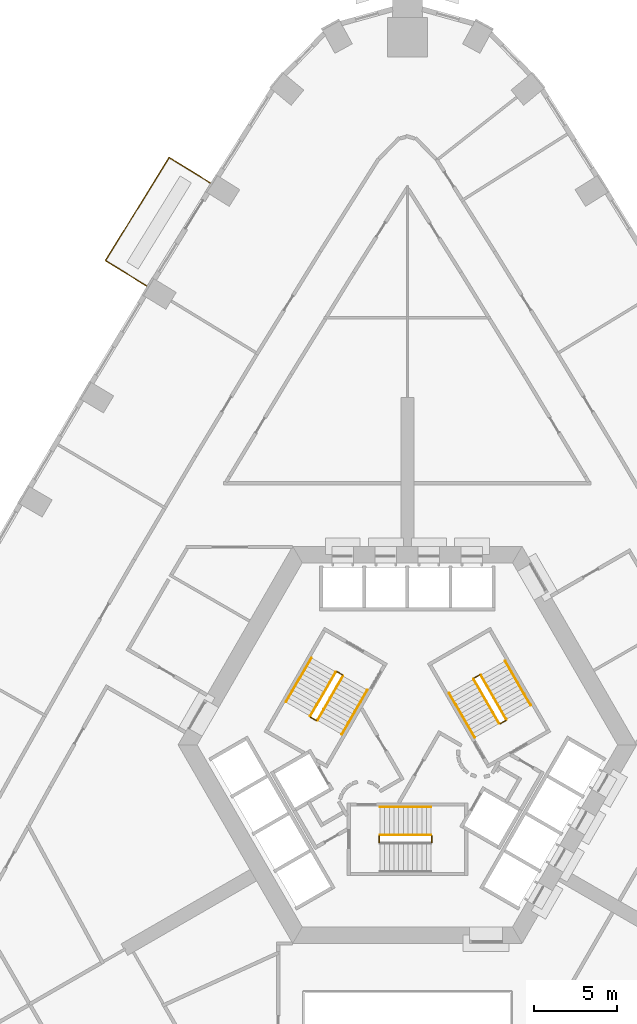
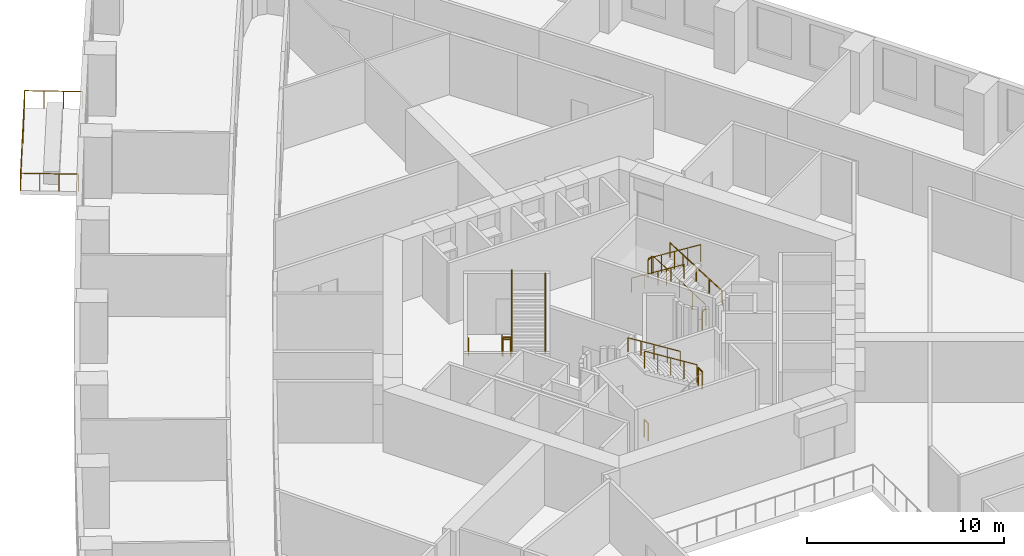
# One storey, part 14 of 15: 17 railings.
"""IFC4 building model written with IfcOpenShell, lengths in metres."""

import ifcopenshell
import ifcopenshell.guid

model = None  # the IFC model being written
_history = None  # IfcOwnerHistory: only IFC2X3 demands one
_inside = {}  # id of a spatial element -> (the spatial element, [elements in it])
_under = {}  # id of a project, library or spatial element -> (it, [spatial elements below it])
_declared = {}  # id of a project -> (the project, [libraries it declares])
_typed = {}  # id of a type object -> (the type object, [elements of that type])
_made_of = {}  # id of a material, layer set ... -> (it, [elements and type objects made of it])


def new_model(schema):
    """Start an empty IFC model of exactly this schema.

    Asked for "IFC4X3", IfcOpenShell would pick the latest addendum, in which some entities
    have other attributes; the version numbers below select the first issue.
    IFC2X3 requires an IfcOwnerHistory on every rooted entity: one is made here for all.
    """
    global model, _history
    if schema == "IFC4X3":
        model = ifcopenshell.file(schema_version=(4, 3, 0, 0))
    else:
        model = ifcopenshell.file(schema=schema)
    _inside.clear()
    _under.clear()
    _declared.clear()
    _typed.clear()
    _made_of.clear()
    _history = None
    if model.schema == "IFC2X3":
        org = make("IfcOrganization", Name="unknown")
        user = make(
            "IfcPersonAndOrganization",
            ThePerson=make("IfcPerson", FamilyName="unknown"),
            TheOrganization=org,
        )
        app = make(
            "IfcApplication",
            ApplicationDeveloper=org,
            Version="unknown",
            ApplicationFullName="unknown",
            ApplicationIdentifier="unknown",
        )
        _history = make(
            "IfcOwnerHistory",
            OwningUser=user,
            OwningApplication=app,
            ChangeAction="ADDED",
            CreationDate=0,
        )
    return model


def make(cls, **values):
    """One entity of the class cls with the attributes given. An attribute that is None is left unset."""
    return model.create_entity(
        cls, **{name: value for name, value in values.items() if value is not None}
    )


def rooted(cls, **values):
    """An entity with a GlobalId (a new one), such as an element, a storey or a relation."""
    return make(cls, GlobalId=ifcopenshell.guid.new(), OwnerHistory=_history, **values)


def si_unit(unit_type, name, prefix=None):
    """IfcSIUnit, for example si_unit("LENGTHUNIT", "METRE", prefix="MILLI")."""
    return make("IfcSIUnit", UnitType=unit_type, Prefix=prefix, Name=name)


def assignment(units):
    """IfcUnitAssignment: the units of a project."""
    return None if units is None else make("IfcUnitAssignment", Units=units)


def point(xyz):
    """IfcCartesianPoint."""
    return None if xyz is None else make("IfcCartesianPoint", Coordinates=xyz)


def direction(xyz):
    """IfcDirection."""
    return None if xyz is None else make("IfcDirection", DirectionRatios=xyz)


def frame(location, z_axis=None, x_axis=None):
    """IfcAxis2Placement3D, a coordinate frame: its origin and axes. An axis left out is left unset."""
    return make(
        "IfcAxis2Placement3D",
        Location=point(location),
        Axis=direction(z_axis),
        RefDirection=direction(x_axis),
    )


def frame_2d(location, x_axis=None):
    """IfcAxis2Placement2D, a coordinate frame in the plane: its origin and x axis."""
    return make(
        "IfcAxis2Placement2D", Location=point(location), RefDirection=direction(x_axis)
    )


def origin():
    """The frame at (0, 0, 0) with its axes left unset."""
    return frame((0.0, 0.0, 0.0))


def origin_2d():
    """The frame at (0, 0) in the plane with its x axis left unset."""
    return frame_2d((0.0, 0.0))


def place(relative_to, where):
    """IfcLocalPlacement: puts the frame where relative to a parent placement (None: the world)."""
    return make(
        "IfcLocalPlacement", PlacementRelTo=relative_to, RelativePlacement=where
    )


def context(
    kind, dimensions, precision=None, world=None, true_north=None, identifier=None
):
    """IfcGeometricRepresentationContext, for example the 3D "Model" context."""
    return make(
        "IfcGeometricRepresentationContext",
        ContextIdentifier=identifier,
        ContextType=kind,
        CoordinateSpaceDimension=dimensions,
        Precision=precision,
        WorldCoordinateSystem=world,
        TrueNorth=true_north,
    )


def subcontext(parent, identifier, kind, view, scale=None):
    """IfcGeometricRepresentationSubContext, for example "Body" below "Model"."""
    return make(
        "IfcGeometricRepresentationSubContext",
        ContextIdentifier=identifier,
        ContextType=kind,
        ParentContext=parent,
        TargetScale=scale,
        TargetView=view,
    )


def project(units=None, contexts=None):
    """IfcProject with its units and contexts."""
    return rooted(
        "IfcProject",
        Name="project",
        RepresentationContexts=contexts,
        UnitsInContext=assignment(units),
    )


def spatial(cls, under=None, at=None, **own):
    """A site, building, storey or space (cls), placed at a placement, below another one or the project."""
    s = rooted(cls, ObjectPlacement=at, **own)
    if under is not None:
        _under.setdefault(under.id(), (under, []))[1].append(s)
    return s


def profile(cls, at=None, kind="AREA", **sizes):
    """A parametric profile (cls). Its sizes go by their IFC names, for example OverallWidth=200.0."""
    return make(cls, ProfileType=kind, Position=at, **sizes)


def circle(**sizes):
    """IfcCircleProfileDef."""
    return profile("IfcCircleProfileDef", **sizes)


def extrude(swept, where, along, depth):
    """IfcExtrudedAreaSolid: the profile swept, set in the frame where, extruded along a direction by depth."""
    return make(
        "IfcExtrudedAreaSolid",
        SweptArea=swept,
        Position=where,
        ExtrudedDirection=direction(along),
        Depth=depth,
    )


def shape(context_of_items, identifier, shape_type, items):
    """IfcShapeRepresentation: the items that make up one representation, for example the "Body"."""
    return make(
        "IfcShapeRepresentation",
        ContextOfItems=context_of_items,
        RepresentationIdentifier=identifier,
        RepresentationType=shape_type,
        Items=items,
    )


def material(Name=None, Category=None):
    """IfcMaterial."""
    return make("IfcMaterial", Name=Name, Category=Category)


def made_of(thing, what):
    """Note that an element or type object is made of a material, layer set ...; save() writes the relation."""
    if what is not None:
        _made_of.setdefault(what.id(), (what, []))[1].append(thing)
    return thing


def type_object(cls, material=None, **own):
    """A type object (cls), such as IfcWallType, which elements share."""
    return made_of(rooted(cls, **own), material)


def element(
    cls,
    number,
    at=None,
    inside=None,
    cuts=None,
    type_object=None,
    material=None,
    context=None,
    identifier="Body",
    shape_type=None,
    held_by="IfcProductDefinitionShape",
    body=None,
    shapes=None,
    **own,
):
    """One element of the class cls, such as IfcWall. Its Tag is "e" and its number.

    at: its placement. inside: the storey or other place that contains it. cuts: it is an
    opening in that element (IfcRelVoidsElement). A single representation is given by context,
    identifier, shape_type and body (its items); several are given by shapes. held_by: the class
    of the entity that holds the representations. save() writes the other relations.
    """
    e = rooted(cls, Tag="e%d" % number, ObjectPlacement=at, **own)
    if body is not None:
        shapes = [shape(context, identifier, shape_type, body)]
    if shapes is not None:
        e.Representation = make(held_by, Representations=shapes)
    if inside is not None:
        _inside.setdefault(inside.id(), (inside, []))[1].append(e)
    if cuts is not None:
        rooted(
            "IfcRelVoidsElement", RelatingBuildingElement=cuts, RelatedOpeningElement=e
        )
    if type_object is not None:
        _typed.setdefault(type_object.id(), (type_object, []))[1].append(e)
    return made_of(e, material)


def aggregate(whole, parts):
    """IfcRelAggregates: a whole, such as a stair, and the parts it consists of."""
    return rooted("IfcRelAggregates", RelatingObject=whole, RelatedObjects=parts)


def save(model, path):
    """Write the relations noted so far, then the file.

    IfcRelAggregates (storeys below a building ...), IfcRelContainedInSpatialStructure (elements
    in a storey), IfcRelDefinesByType, IfcRelAssociatesMaterial and IfcRelDeclares: one each for
    every whole, place, type object, material and project.
    """
    for whole, parts in _under.values():
        aggregate(whole, parts)
    for where, things in _inside.values():
        rooted(
            "IfcRelContainedInSpatialStructure",
            RelatedElements=things,
            RelatingStructure=where,
        )
    for kind, things in _typed.values():
        rooted("IfcRelDefinesByType", RelatedObjects=things, RelatingType=kind)
    for what, things in _made_of.values():
        rooted("IfcRelAssociatesMaterial", RelatedObjects=things, RelatingMaterial=what)
    for by, libraries in _declared.values():
        rooted("IfcRelDeclares", RelatingContext=by, RelatedDefinitions=libraries)
    model.write(path)


model = new_model("IFC4")

# Units and contexts
model_context = context("Model", 3, precision=1e-05, world=origin(), true_north=direction((0.0, 1.0)))
body_context = subcontext(model_context, "Body", "Model", "MODEL_VIEW")
ifc_project = project(units=[si_unit("LENGTHUNIT", "METRE"), si_unit("AREAUNIT", "SQUARE_METRE"), si_unit("VOLUMEUNIT", "CUBIC_METRE"), si_unit("PLANEANGLEUNIT", "RADIAN"), si_unit("MASSUNIT", "GRAM", prefix="KILO")], contexts=[model_context])

# Site, building, storey
site_placement = place(None, origin())
site = spatial("IfcSite", under=ifc_project, at=site_placement, CompositionType="ELEMENT")
building_placement = place(site_placement, origin())
building = spatial("IfcBuilding", under=site, at=building_placement, Name="Entoto Arch Interchange Tower", CompositionType="ELEMENT")
storey_placement = place(building_placement, frame((0.0, 0.0, 56.0)))
storey = spatial("IfcBuildingStorey", under=building, at=storey_placement, Name="L11", CompositionType="ELEMENT", Elevation=56.0)

# Railings
ifc_material = material(Name="Stainless steel 1.4301", Category="steel")
railing_type_1 = type_object("IfcRailingType", Name="GUARD 1100 STEEL AND GLASS", PredefinedType="GUARDRAIL", material=ifc_material)
railing_1_placement = place(storey_placement, frame((-11.885986328125, 36.44189453125, 0.0)))
element("IfcRailing", 1, at=railing_1_placement, inside=storey, type_object=railing_type_1, Name="Balcony guard NW-02 L11", PredefinedType="GUARDRAIL", context=body_context, shape_type="SweptSolid", body=[
    extrude(circle(Radius=0.02392578125, at=origin_2d()), frame((0.0, 0.0, 1.076171875), z_axis=(-0.851075350187, 0.525043568006, 0.0), x_axis=(-0.525043568006, -0.851075350187, 0.0)), (0.0, 0.0, 1.0), 2.950439453125),
    extrude(circle(Radius=0.02392578125, at=origin_2d()), frame((-2.510986328125, 1.549072265625, 1.076171875), z_axis=(-0.525007100846, -0.85109784635, 0.0), x_axis=(0.85109784635, -0.525007100846, 0.0)), (0.0, 0.0, 1.0), 7.31982421875),
    extrude(circle(Radius=0.02392578125, at=origin_2d()), frame((-6.35400390625, -4.680908203125, 1.076171875), z_axis=(0.851075350187, -0.525043568006, 0.0), x_axis=(0.525043568006, 0.851075350187, 0.0)), (0.0, 0.0, 1.0), 2.950439453125),
    extrude(circle(Radius=0.02099609375, at=origin_2d()), origin(), (0.0, 0.0, 1.0), 1.052001953125),
    extrude(circle(Radius=0.02099609375, at=origin_2d()), frame((-0.8369140625, 0.516357421875, 0.0)), (0.0, 0.0, 1.0), 1.052001953125),
    extrude(circle(Radius=0.02099609375, at=origin_2d()), frame((-1.674072265625, 1.03271484375, 0.0)), (0.0, 0.0, 1.0), 1.052001953125),
    extrude(circle(Radius=0.02099609375, at=origin_2d()), frame((-2.510986328125, 1.549072265625, 0.0)), (0.0, 0.0, 1.0), 1.052001953125),
    extrude(circle(Radius=0.02099609375, at=origin_2d()), frame((-3.06005859375, 0.6591796875, 0.0)), (0.0, 0.0, 1.0), 1.052001953125),
    extrude(circle(Radius=0.02099609375, at=origin_2d()), frame((-3.60888671875, -0.23095703125, 0.0)), (0.0, 0.0, 1.0), 1.052001953125),
    extrude(circle(Radius=0.02099609375, at=origin_2d()), frame((-4.157958984375, -1.120849609375, 0.0)), (0.0, 0.0, 1.0), 1.052001953125),
    extrude(circle(Radius=0.02099609375, at=origin_2d()), frame((-4.70703125, -2.010986328125, 0.0)), (0.0, 0.0, 1.0), 1.052001953125),
    extrude(circle(Radius=0.02099609375, at=origin_2d()), frame((-5.256103515625, -2.90087890625, 0.0)), (0.0, 0.0, 1.0), 1.052001953125),
    extrude(circle(Radius=0.02099609375, at=origin_2d()), frame((-5.804931640625, -3.791015625, 0.0)), (0.0, 0.0, 1.0), 1.052001953125),
    extrude(circle(Radius=0.02099609375, at=origin_2d()), frame((-6.35400390625, -4.680908203125, 0.0)), (0.0, 0.0, 1.0), 1.052001953125),
    extrude(circle(Radius=0.02099609375, at=origin_2d()), frame((-5.51708984375, -5.197265625, 0.0)), (0.0, 0.0, 1.0), 1.052001953125),
    extrude(circle(Radius=0.02099609375, at=origin_2d()), frame((-4.679931640625, -5.713623046875, 0.0)), (0.0, 0.0, 1.0), 1.052001953125),
    extrude(circle(Radius=0.02099609375, at=origin_2d()), frame((-3.843017578125, -6.22998046875, 0.0)), (0.0, 0.0, 1.0), 1.052001953125),
])
railing_type_2 = type_object("IfcRailingType", Name="STAIR GUARD 1100 STEEL", PredefinedType="GUARDRAIL", material=ifc_material)
railing_2_placement = place(storey_placement, frame((1.47998046875, -3.39990234375, 2.10009765625)))
element("IfcRailing", 2, at=railing_2_placement, inside=storey, type_object=railing_type_2, Name="L11 ST-S stair guard 2", PredefinedType="GUARDRAIL", context=body_context, shape_type="SweptSolid", body=[
    extrude(circle(Radius=0.02392578125, at=origin_2d()), frame((0.0, 0.0, 1.076171875), z_axis=(0.0, 1.0, 0.0), x_axis=(-1.0, 0.0, 0.0)), (0.0, 0.0, 1.0), 0.39990234375),
    extrude(circle(Radius=0.02099609375, at=origin_2d()), origin(), (0.0, 0.0, 1.0), 1.052001953125),
    extrude(circle(Radius=0.02099609375, at=origin_2d()), frame((0.0, 0.39990234375, 0.0)), (0.0, 0.0, 1.0), 1.052001953125),
])
railing_3_placement = place(storey_placement, frame((1.429931640625, -2.949951171875, 2.27490234375)))
element("IfcRailing", 3, at=railing_3_placement, inside=storey, type_object=railing_type_2, Name="L11 ST-S stair guard 3", PredefinedType="GUARDRAIL", context=body_context, shape_type="SweptSolid", body=[
    extrude(circle(Radius=0.02392578125, at=origin_2d()), frame((0.0, 0.0, 1.076171875), z_axis=(-0.847979421464, 0.0, 0.530029150871), x_axis=(0.0, -1.0, 0.0)), (0.0, 0.0, 1.0), 3.632080078125),
    extrude(circle(Radius=0.02099609375, at=origin_2d()), origin(), (0.0, 0.0, 1.0), 1.052001953125),
    extrude(circle(Radius=0.02099609375, at=origin_2d()), frame((-0.77001953125, 0.0, 0.481201171875)), (0.0, 0.0, 1.0), 1.052001953125),
    extrude(circle(Radius=0.02099609375, at=origin_2d()), frame((-1.5400390625, 0.0, 0.96240234375)), (0.0, 0.0, 1.0), 1.052001953125),
    extrude(circle(Radius=0.02099609375, at=origin_2d()), frame((-2.309814453125, 0.0, 1.44384765625)), (0.0, 0.0, 1.0), 1.052001953125),
    extrude(circle(Radius=0.02099609375, at=origin_2d()), frame((-3.079833984375, 0.0, 1.925048828125)), (0.0, 0.0, 1.0), 1.052001953125),
])
railing_4_placement = place(storey_placement, frame((-1.699951171875, -3.39990234375, 0.0)))
element("IfcRailing", 4, at=railing_4_placement, inside=storey, type_object=railing_type_2, Name="L11 ST-S stair guard 4", PredefinedType="GUARDRAIL", context=body_context, shape_type="SweptSolid", body=[
    extrude(circle(Radius=0.02392578125, at=origin_2d()), frame((0.0, 0.0, 1.076171875), z_axis=(0.0, 1.0, 0.0), x_axis=(-1.0, 0.0, 0.0)), (0.0, 0.0, 1.0), 0.39990234375),
    extrude(circle(Radius=0.02099609375, at=origin_2d()), origin(), (0.0, 0.0, 1.0), 1.052001953125),
    extrude(circle(Radius=0.02099609375, at=origin_2d()), frame((0.0, 0.39990234375, 0.0)), (0.0, 0.0, 1.0), 1.052001953125),
])
railing_5_placement = place(storey_placement, frame((5.977783203125, 4.046142578125, 0.175048828125)))
element("IfcRailing", 5, at=railing_5_placement, inside=storey, type_object=railing_type_2, Name="L11 ST-NE stair guard 1", PredefinedType="GUARDRAIL", context=body_context, shape_type="SweptSolid", body=[
    extrude(circle(Radius=0.02392578125, at=origin_2d()), frame((0.0, 0.0, 1.076171875), z_axis=(-0.424015404183, 0.734364028329, 0.530019255228), x_axis=(-0.866010015463, -0.500026652407, 0.0)), (0.0, 0.0, 1.0), 3.632080078125),
    extrude(circle(Radius=0.02099609375, at=origin_2d()), origin(), (0.0, 0.0, 1.0), 1.052001953125),
    extrude(circle(Radius=0.02099609375, at=origin_2d()), frame((-0.385009765625, 0.666748046875, 0.481201171875)), (0.0, 0.0, 1.0), 1.052001953125),
    extrude(circle(Radius=0.02099609375, at=origin_2d()), frame((-0.77001953125, 1.33349609375, 0.96240234375)), (0.0, 0.0, 1.0), 1.052001953125),
    extrude(circle(Radius=0.02099609375, at=origin_2d()), frame((-1.155029296875, 2.00048828125, 1.44384765625)), (0.0, 0.0, 1.0), 1.052001953125),
    extrude(circle(Radius=0.02099609375, at=origin_2d()), frame((-1.5400390625, 2.667236328125, 1.925048828125)), (0.0, 0.0, 1.0), 1.052001953125),
])
railing_6_placement = place(storey_placement, frame((4.36962890625, 6.731689453125, 2.10009765625)))
element("IfcRailing", 6, at=railing_6_placement, inside=storey, type_object=railing_type_2, Name="L11 ST-NE stair guard 2", PredefinedType="GUARDRAIL", context=body_context, shape_type="SweptSolid", body=[
    extrude(circle(Radius=0.02392578125, at=origin_2d()), frame((0.0, 0.0, 1.076171875), z_axis=(-0.866094119867, -0.499880961361, 0.0), x_axis=(0.499880961361, -0.866094119867, 0.0)), (0.0, 0.0, 1.0), 0.39990234375),
    extrude(circle(Radius=0.02099609375, at=origin_2d()), origin(), (0.0, 0.0, 1.0), 1.052001953125),
    extrude(circle(Radius=0.02099609375, at=origin_2d()), frame((-0.346435546875, -0.199951171875, 0.0)), (0.0, 0.0, 1.0), 1.052001953125),
])
railing_7_placement = place(storey_placement, frame((4.0048828125, 6.46337890625, 2.27490234375)))
element("IfcRailing", 7, at=railing_7_placement, inside=storey, type_object=railing_type_2, Name="L11 ST-NE stair guard 3", PredefinedType="GUARDRAIL", context=body_context, shape_type="SweptSolid", body=[
    extrude(circle(Radius=0.02392578125, at=origin_2d()), frame((0.0, 0.0, 1.076171875), z_axis=(0.424015404183, -0.734364028329, 0.530019255228), x_axis=(0.866010015463, 0.500026652407, 0.0)), (0.0, 0.0, 1.0), 3.632080078125),
    extrude(circle(Radius=0.02099609375, at=origin_2d()), origin(), (0.0, 0.0, 1.0), 1.052001953125),
    extrude(circle(Radius=0.02099609375, at=origin_2d()), frame((0.385009765625, -0.666748046875, 0.481201171875)), (0.0, 0.0, 1.0), 1.052001953125),
    extrude(circle(Radius=0.02099609375, at=origin_2d()), frame((0.77001953125, -1.33349609375, 0.96240234375)), (0.0, 0.0, 1.0), 1.052001953125),
    extrude(circle(Radius=0.02099609375, at=origin_2d()), frame((1.155029296875, -2.00048828125, 1.44384765625)), (0.0, 0.0, 1.0), 1.052001953125),
    extrude(circle(Radius=0.02099609375, at=origin_2d()), frame((1.5400390625, -2.667236328125, 1.925048828125)), (0.0, 0.0, 1.0), 1.052001953125),
])
railing_8_placement = place(storey_placement, frame((5.95947265625, 3.977783203125, 0.0)))
element("IfcRailing", 8, at=railing_8_placement, inside=storey, type_object=railing_type_2, Name="L11 ST-NE stair guard 4", PredefinedType="GUARDRAIL", context=body_context, shape_type="SweptSolid", body=[
    extrude(circle(Radius=0.02392578125, at=origin_2d()), frame((0.0, 0.0, 1.076171875), z_axis=(-0.866094119867, -0.499880961361, 0.0), x_axis=(0.499880961361, -0.866094119867, 0.0)), (0.0, 0.0, 1.0), 0.39990234375),
    extrude(circle(Radius=0.02099609375, at=origin_2d()), origin(), (0.0, 0.0, 1.0), 1.052001953125),
    extrude(circle(Radius=0.02099609375, at=origin_2d()), frame((-0.346435546875, -0.199951171875, 0.0)), (0.0, 0.0, 1.0), 1.052001953125),
])
railing_9_placement = place(storey_placement, frame((-4.327880859375, 6.904052734375, 0.175048828125)))
element("IfcRailing", 9, at=railing_9_placement, inside=storey, type_object=railing_type_2, Name="L11 ST-NW stair guard 1", PredefinedType="GUARDRAIL", context=body_context, shape_type="SweptSolid", body=[
    extrude(circle(Radius=0.02392578125, at=origin_2d()), frame((0.0, 0.0, 1.076171875), z_axis=(-0.423994474112, -0.734394994316, 0.52999309264), x_axis=(0.866029832698, -0.499992328818, 0.0)), (0.0, 0.0, 1.0), 3.63232421875),
    extrude(circle(Radius=0.02099609375, at=origin_2d()), origin(), (0.0, 0.0, 1.0), 1.052001953125),
    extrude(circle(Radius=0.02099609375, at=origin_2d()), frame((-0.385009765625, -0.6669921875, 0.481201171875)), (0.0, 0.0, 1.0), 1.052001953125),
    extrude(circle(Radius=0.02099609375, at=origin_2d()), frame((-0.77001953125, -1.333740234375, 0.96240234375)), (0.0, 0.0, 1.0), 1.052001953125),
    extrude(circle(Radius=0.02099609375, at=origin_2d()), frame((-1.155029296875, -2.00048828125, 1.44384765625)), (0.0, 0.0, 1.0), 1.052001953125),
    extrude(circle(Radius=0.02099609375, at=origin_2d()), frame((-1.5400390625, -2.66748046875, 1.925048828125)), (0.0, 0.0, 1.0), 1.052001953125),
])
railing_10_placement = place(storey_placement, frame((-5.849609375, 4.168212890625, 2.10009765625)))
element("IfcRailing", 10, at=railing_10_placement, inside=storey, type_object=railing_type_2, Name="L11 ST-NW stair guard 2", PredefinedType="GUARDRAIL", context=body_context, shape_type="SweptSolid", body=[
    extrude(circle(Radius=0.02392578125, at=origin_2d()), frame((0.0, 0.0, 1.076171875), z_axis=(0.866094119867, -0.499880961361, 0.0), x_axis=(0.499880961361, 0.866094119867, 0.0)), (0.0, 0.0, 1.0), 0.39990234375),
    extrude(circle(Radius=0.02099609375, at=origin_2d()), origin(), (0.0, 0.0, 1.0), 1.052001953125),
    extrude(circle(Radius=0.02099609375, at=origin_2d()), frame((0.346435546875, -0.199951171875, 0.0)), (0.0, 0.0, 1.0), 1.052001953125),
])
railing_11_placement = place(storey_placement, frame((-5.434814453125, 3.986572265625, 2.27490234375)))
element("IfcRailing", 11, at=railing_11_placement, inside=storey, type_object=railing_type_2, Name="L11 ST-NW stair guard 3", PredefinedType="GUARDRAIL", context=body_context, shape_type="SweptSolid", body=[
    extrude(circle(Radius=0.02392578125, at=origin_2d()), frame((0.0, 0.0, 1.076171875), z_axis=(0.423994474112, 0.734394994316, 0.52999309264), x_axis=(-0.866029832698, 0.499992328818, 0.0)), (0.0, 0.0, 1.0), 3.63232421875),
    extrude(circle(Radius=0.02099609375, at=origin_2d()), origin(), (0.0, 0.0, 1.0), 1.052001953125),
    extrude(circle(Radius=0.02099609375, at=origin_2d()), frame((0.385009765625, 0.6669921875, 0.481201171875)), (0.0, 0.0, 1.0), 1.052001953125),
    extrude(circle(Radius=0.02099609375, at=origin_2d()), frame((0.77001953125, 1.333740234375, 0.96240234375)), (0.0, 0.0, 1.0), 1.052001953125),
    extrude(circle(Radius=0.02099609375, at=origin_2d()), frame((1.155029296875, 2.00048828125, 1.44384765625)), (0.0, 0.0, 1.0), 1.052001953125),
    extrude(circle(Radius=0.02099609375, at=origin_2d()), frame((1.5400390625, 2.66748046875, 1.925048828125)), (0.0, 0.0, 1.0), 1.052001953125),
])
railing_12_placement = place(storey_placement, frame((-4.259521484375, 6.92236328125, 0.0)))
element("IfcRailing", 12, at=railing_12_placement, inside=storey, type_object=railing_type_2, Name="L11 ST-NW stair guard 4", PredefinedType="GUARDRAIL", context=body_context, shape_type="SweptSolid", body=[
    extrude(circle(Radius=0.02392578125, at=origin_2d()), frame((0.0, 0.0, 1.076171875), z_axis=(0.865829829939, -0.500338590944, 0.0), x_axis=(0.500338590944, 0.865829829939, 0.0)), (0.0, 0.0, 1.0), 0.400146484375),
    extrude(circle(Radius=0.02099609375, at=origin_2d()), origin(), (0.0, 0.0, 1.0), 1.052001953125),
    extrude(circle(Radius=0.02099609375, at=origin_2d()), frame((0.346435546875, -0.2001953125, 0.0)), (0.0, 0.0, 1.0), 1.052001953125),
])
railing_type_3 = type_object("IfcRailingType", Name="STAIR HANDRAIL 900 STEEL", PredefinedType="HANDRAIL", material=ifc_material)
railing_13_placement = place(storey_placement, frame((1.429931640625, -1.25, 2.27490234375)))
element("IfcRailing", 13, at=railing_13_placement, inside=storey, type_object=railing_type_3, Name="L11 ST-S stair handrail 2", PredefinedType="HANDRAIL", context=body_context, shape_type="SweptSolid", body=[
    extrude(circle(Radius=0.02392578125, at=origin_2d()), frame((0.0, 0.0, 0.8759765625), z_axis=(-0.847979421464, 0.0, 0.530029150871), x_axis=(0.0, -1.0, 0.0)), (0.0, 0.0, 1.0), 3.632080078125),
    extrude(circle(Radius=0.02099609375, at=origin_2d()), origin(), (0.0, 0.0, 1.0), 0.851806640625),
    extrude(circle(Radius=0.02099609375, at=origin_2d()), frame((-0.77001953125, 0.0, 0.481201171875)), (0.0, 0.0, 1.0), 0.851806640625),
    extrude(circle(Radius=0.02099609375, at=origin_2d()), frame((-1.5400390625, 0.0, 0.96240234375)), (0.0, 0.0, 1.0), 0.851806640625),
    extrude(circle(Radius=0.02099609375, at=origin_2d()), frame((-2.309814453125, 0.0, 1.44384765625)), (0.0, 0.0, 1.0), 0.851806640625),
    extrude(circle(Radius=0.02099609375, at=origin_2d()), frame((-3.079833984375, 0.0, 1.925048828125)), (0.0, 0.0, 1.0), 0.851806640625),
])
railing_14_placement = place(storey_placement, frame((7.4501953125, 4.89599609375, 0.175048828125)))
element("IfcRailing", 14, at=railing_14_placement, inside=storey, type_object=railing_type_3, Name="L11 ST-NE stair handrail 1", PredefinedType="HANDRAIL", context=body_context, shape_type="SweptSolid", body=[
    extrude(circle(Radius=0.02392578125, at=origin_2d()), frame((0.0, 0.0, 0.8759765625), z_axis=(-0.423994474112, 0.734394994316, 0.52999309264), x_axis=(-0.866029832698, -0.499992328818, 0.0)), (0.0, 0.0, 1.0), 3.63232421875),
    extrude(circle(Radius=0.02099609375, at=origin_2d()), origin(), (0.0, 0.0, 1.0), 0.851806640625),
    extrude(circle(Radius=0.02099609375, at=origin_2d()), frame((-0.385009765625, 0.6669921875, 0.481201171875)), (0.0, 0.0, 1.0), 0.851806640625),
    extrude(circle(Radius=0.02099609375, at=origin_2d()), frame((-0.77001953125, 1.333740234375, 0.96240234375)), (0.0, 0.0, 1.0), 0.851806640625),
    extrude(circle(Radius=0.02099609375, at=origin_2d()), frame((-1.155029296875, 2.00048828125, 1.44384765625)), (0.0, 0.0, 1.0), 0.851806640625),
    extrude(circle(Radius=0.02099609375, at=origin_2d()), frame((-1.5400390625, 2.66748046875, 1.925048828125)), (0.0, 0.0, 1.0), 0.851806640625),
])
railing_15_placement = place(storey_placement, frame((2.53271484375, 5.613525390625, 2.27490234375)))
element("IfcRailing", 15, at=railing_15_placement, inside=storey, type_object=railing_type_3, Name="L11 ST-NE stair handrail 2", PredefinedType="HANDRAIL", context=body_context, shape_type="SweptSolid", body=[
    extrude(circle(Radius=0.02392578125, at=origin_2d()), frame((0.0, 0.0, 0.8759765625), z_axis=(0.423939339791, -0.734415923031, 0.53000819633), x_axis=(0.866064153644, 0.499932877268, 0.0)), (0.0, 0.0, 1.0), 3.632080078125),
    extrude(circle(Radius=0.02099609375, at=origin_2d()), origin(), (0.0, 0.0, 1.0), 0.851806640625),
    extrude(circle(Radius=0.02099609375, at=origin_2d()), frame((0.385009765625, -0.6669921875, 0.481201171875)), (0.0, 0.0, 1.0), 0.851806640625),
    extrude(circle(Radius=0.02099609375, at=origin_2d()), frame((0.77001953125, -1.333740234375, 0.96240234375)), (0.0, 0.0, 1.0), 0.851806640625),
    extrude(circle(Radius=0.02099609375, at=origin_2d()), frame((1.15478515625, -2.00048828125, 1.44384765625)), (0.0, 0.0, 1.0), 0.851806640625),
    extrude(circle(Radius=0.02099609375, at=origin_2d()), frame((1.539794921875, -2.66748046875, 1.925048828125)), (0.0, 0.0, 1.0), 0.851806640625),
])
railing_16_placement = place(storey_placement, frame((-5.800048828125, 7.75390625, 0.175048828125)))
element("IfcRailing", 16, at=railing_16_placement, inside=storey, type_object=railing_type_3, Name="L11 ST-NW stair handrail 1", PredefinedType="HANDRAIL", context=body_context, shape_type="SweptSolid", body=[
    extrude(circle(Radius=0.02392578125, at=origin_2d()), frame((0.0, 0.0, 0.8759765625), z_axis=(-0.424015404183, -0.734364028329, 0.530019255228), x_axis=(0.866010015463, -0.500026652407, 0.0)), (0.0, 0.0, 1.0), 3.632080078125),
    extrude(circle(Radius=0.02099609375, at=origin_2d()), origin(), (0.0, 0.0, 1.0), 0.851806640625),
    extrude(circle(Radius=0.02099609375, at=origin_2d()), frame((-0.385009765625, -0.666748046875, 0.481201171875)), (0.0, 0.0, 1.0), 0.851806640625),
    extrude(circle(Radius=0.02099609375, at=origin_2d()), frame((-0.77001953125, -1.33349609375, 0.96240234375)), (0.0, 0.0, 1.0), 0.851806640625),
    extrude(circle(Radius=0.02099609375, at=origin_2d()), frame((-1.155029296875, -2.00048828125, 1.44384765625)), (0.0, 0.0, 1.0), 0.851806640625),
    extrude(circle(Radius=0.02099609375, at=origin_2d()), frame((-1.5400390625, -2.667236328125, 1.925048828125)), (0.0, 0.0, 1.0), 0.851806640625),
])
railing_17_placement = place(storey_placement, frame((-3.962646484375, 3.136474609375, 2.27490234375)))
element("IfcRailing", 17, at=railing_17_placement, inside=storey, type_object=railing_type_3, Name="L11 ST-NW stair handrail 2", PredefinedType="HANDRAIL", context=body_context, shape_type="SweptSolid", body=[
    extrude(circle(Radius=0.02392578125, at=origin_2d()), frame((0.0, 0.0, 0.8759765625), z_axis=(0.423994474112, 0.734394994316, 0.52999309264), x_axis=(-0.866029832698, 0.499992328818, 0.0)), (0.0, 0.0, 1.0), 3.63232421875),
    extrude(circle(Radius=0.02099609375, at=origin_2d()), origin(), (0.0, 0.0, 1.0), 0.851806640625),
    extrude(circle(Radius=0.02099609375, at=origin_2d()), frame((0.385009765625, 0.6669921875, 0.481201171875)), (0.0, 0.0, 1.0), 0.851806640625),
    extrude(circle(Radius=0.02099609375, at=origin_2d()), frame((0.77001953125, 1.333740234375, 0.96240234375)), (0.0, 0.0, 1.0), 0.851806640625),
    extrude(circle(Radius=0.02099609375, at=origin_2d()), frame((1.155029296875, 2.00048828125, 1.44384765625)), (0.0, 0.0, 1.0), 0.851806640625),
    extrude(circle(Radius=0.02099609375, at=origin_2d()), frame((1.5400390625, 2.66748046875, 1.925048828125)), (0.0, 0.0, 1.0), 0.851806640625),
])

save(model, "model.ifc")
